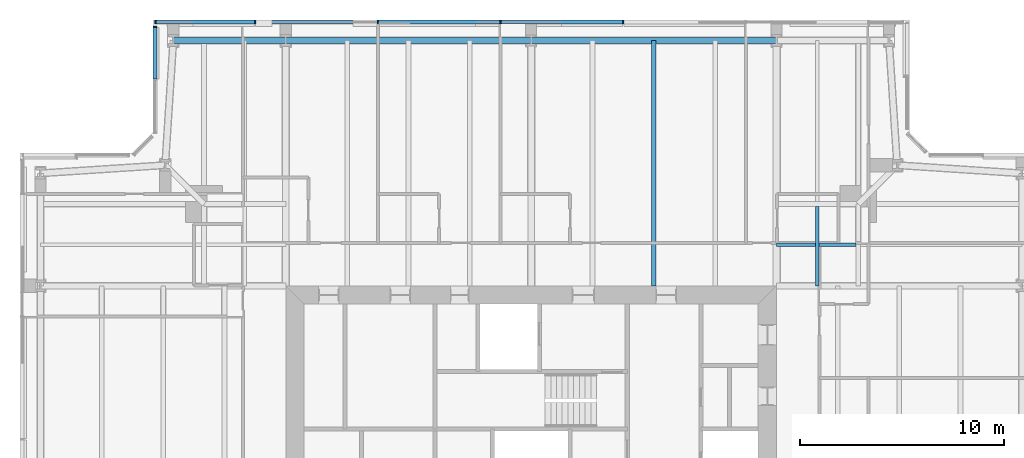
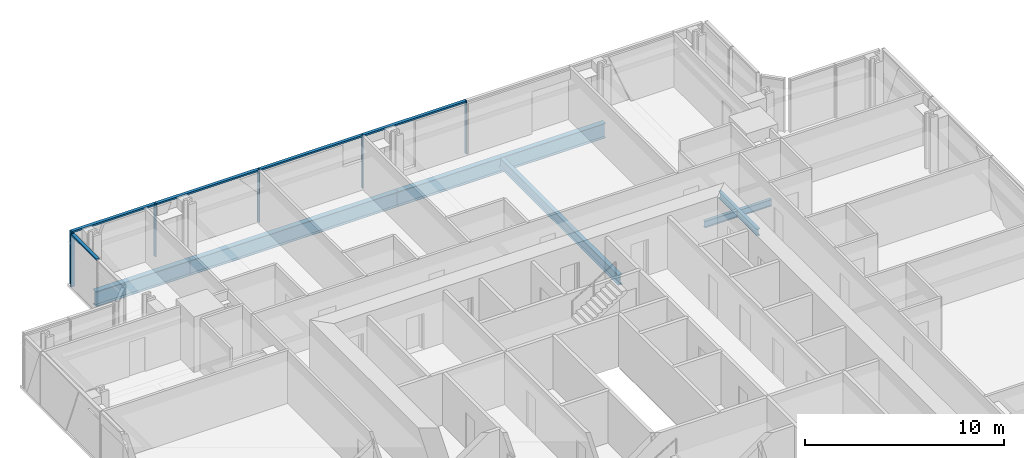
# One storey, part 8 of 20: 11 members, 7 beams, 2 elements without a shape of their own.
"""IFC4 building model written with IfcOpenShell, lengths in metres."""

from ifc_helpers import new_model, si_unit, direction, frame, origin, origin_2d, place, context, subcontext, project, spatial, rectangle, i_section, extrude, material, material_profile, profile_set, type_object, element, aggregate, save


model = new_model("IFC4")

# Units and contexts
model_context = context("Model", 3, precision=1e-05, world=origin(), true_north=direction((0.0, 1.0)))
body_context = subcontext(model_context, "Body", "Model", "MODEL_VIEW")
ifc_project = project(units=[si_unit("LENGTHUNIT", "METRE"), si_unit("AREAUNIT", "SQUARE_METRE"), si_unit("VOLUMEUNIT", "CUBIC_METRE"), si_unit("PLANEANGLEUNIT", "RADIAN"), si_unit("MASSUNIT", "GRAM", prefix="KILO")], contexts=[model_context])

# Site, building, storey
site_placement = place(None, origin())
site = spatial("IfcSite", under=ifc_project, at=site_placement, CompositionType="ELEMENT")
building_placement = place(site_placement, origin())
building = spatial("IfcBuilding", under=site, at=building_placement, Name="Fenwick Lantern Interchange", CompositionType="ELEMENT")
storey_placement = place(building_placement, frame((0.0, 0.0, 259.39990234375)))
storey = spatial("IfcBuildingStorey", under=building, at=storey_placement, Name="L61", CompositionType="ELEMENT", Elevation=259.39990234375)

# Beams
ifc_material_1 = material(Name="Steel ASTM A992 Grade 50", Category="steel")
ifc_material_profile_1 = material_profile(ifc_material_1, i_section(OverallWidth=0.3046875, OverallDepth=0.911865234375, WebThickness=0.015869140625, FlangeThickness=0.02392578125, at=origin_2d()), Name="W36X150")
ifc_profile_set_1 = profile_set([ifc_material_profile_1], Name="Steel ASTM A992 Grade 50")
beam_type_1 = type_object("IfcBeamType", Name="EDGE BEAM W36X150", PredefinedType="SPANDREL", material=ifc_profile_set_1)
for number, where, z_axis, x_axis, name in (
    (1, (37.0, 49.0, -0.605712890625), (-1.0, 0.0, 0.0), (0.0, -1.0, 0.0), "L61/FR/N/EB2"),
    (2, (25.0, 49.0, -0.605712890625), (-1.0, 0.0, 0.0), (0.0, -1.0, 0.0), "L61/FR/N/EB3"),
):
    element("IfcBeam", number, at=place(storey_placement, frame(where, z_axis=z_axis, x_axis=x_axis)), inside=storey, type_object=beam_type_1, Name=name, PredefinedType="SPANDREL", context=body_context, shape_type="SweptSolid", body=[
        extrude(i_section(OverallWidth=0.3046875, OverallDepth=0.911865234375, WebThickness=0.015869140625, FlangeThickness=0.02392578125, at=origin_2d()), origin(), (0.0, 0.0, 1.0), 12.0),
    ])
beam_1_placement = place(storey_placement, frame((13.0, 49.0, -0.605712890625), z_axis=(-1.0, 0.0, 0.0), x_axis=(0.0, -1.0, 0.0)))
element("IfcBeam", 3, at=beam_1_placement, inside=storey, type_object=beam_type_1, Name="L61/FR/N/EB4", PredefinedType="SPANDREL", context=body_context, shape_type="SweptSolid", body=[
    extrude(i_section(OverallWidth=0.3046875, OverallDepth=0.911865234375, WebThickness=0.015869140625, FlangeThickness=0.02392578125, at=origin_2d()), origin(), (0.0, 0.0, 1.0), 5.5),
])
ifc_material_profile_2 = material_profile(ifc_material_1, i_section(OverallWidth=0.22900390625, OverallDepth=0.612060546875, WebThickness=0.011962890625, FlangeThickness=0.01953125, at=origin_2d()), Name="W24X84")
ifc_profile_set_2 = profile_set([ifc_material_profile_2], Name="Steel ASTM A992 Grade 50")
beam_type_2 = type_object("IfcBeamType", Name="FLOOR BEAM W24X84", PredefinedType="BEAM", material=ifc_profile_set_2)
beam_2_placement = place(storey_placement, frame((31.0, 49.0, -0.4560546875), z_axis=(0.0, -1.0, 0.0), x_axis=(1.0, 0.0, 0.0)))
element("IfcBeam", 4, at=beam_2_placement, inside=storey, type_object=beam_type_2, Name="L61/FR/N/R03", PredefinedType="BEAM", context=body_context, shape_type="SweptSolid", body=[
    extrude(i_section(OverallWidth=0.22900390625, OverallDepth=0.612060546875, WebThickness=0.011962890625, FlangeThickness=0.01953125, at=origin_2d()), origin(), (0.0, 0.0, 1.0), 12.0),
])

# Curtain wall, members
ifc_material_2 = material(Name="Aluminium curtain wall frame", Category="aluminium")
curtain_wall_type = type_object("IfcCurtainWallType", Name="HOTEL CURTAIN WALL", PredefinedType="USERDEFINED", material=ifc_material_2)
curtain_wall_1_placement = place(storey_placement, origin())
curtain_wall_1 = element("IfcCurtainWall", 5, at=curtain_wall_1_placement, inside=storey, type_object=curtain_wall_type, Name="Hotel curtain wall 09", ObjectType="HOTEL CURTAIN WALL", PredefinedType="USERDEFINED")
ifc_material_3 = material(Name="Aluminium extrusion", Category="aluminium")
ifc_material_profile_3 = material_profile(ifc_material_3, rectangle(XDim=0.179931640625, YDim=0.06005859375, at=origin_2d()), Name="HOTEL CURTAIN WALL MULLION 60 X 180")
ifc_profile_set_3 = profile_set([ifc_material_profile_3], Name="Aluminium extrusion")
member_type_1 = type_object("IfcMemberType", Name="HOTEL CURTAIN WALL MULLION 60 X 180", PredefinedType="MULLION", material=ifc_profile_set_3)
member_1_placement = place(storey_placement, frame((29.5, 49.89990234375, 0.0), z_axis=(0.0, 0.0, 1.0), x_axis=(0.0, -1.0, 0.0)))
member_1 = element("IfcMember", 6, at=member_1_placement, type_object=member_type_1, Name="L61/CW/09/M03", PredefinedType="MULLION", context=body_context, shape_type="SweptSolid", body=[
    extrude(rectangle(XDim=0.179931640625, YDim=0.06005859375, at=origin_2d()), origin(), (0.0, 0.0, 1.0), 3.25),
])
member_2_placement = place(storey_placement, frame((23.5, 49.89990234375, 0.0), z_axis=(0.0, 0.0, 1.0), x_axis=(0.0, -1.0, 0.0)))
member_2 = element("IfcMember", 7, at=member_2_placement, type_object=member_type_1, Name="L61/CW/09/M04", PredefinedType="MULLION", context=body_context, shape_type="SweptSolid", body=[
    extrude(rectangle(XDim=0.179931640625, YDim=0.06005859375, at=origin_2d()), origin(), (0.0, 0.0, 1.0), 3.25),
])
member_3_placement = place(storey_placement, frame((17.5, 49.89990234375, 0.0), z_axis=(0.0, 0.0, 1.0), x_axis=(0.0, -1.0, 0.0)))
member_3 = element("IfcMember", 8, at=member_3_placement, type_object=member_type_1, Name="L61/CW/09/M05", PredefinedType="MULLION", context=body_context, shape_type="SweptSolid", body=[
    extrude(rectangle(XDim=0.179931640625, YDim=0.06005859375, at=origin_2d()), origin(), (0.0, 0.0, 1.0), 3.25),
])
member_4_placement = place(storey_placement, frame((11.5, 49.89990234375, 0.0), z_axis=(0.0, 0.0, 1.0), x_axis=(0.0, -1.0, 0.0)))
member_4 = element("IfcMember", 9, at=member_4_placement, type_object=member_type_1, Name="L61/CW/09/M06", PredefinedType="MULLION", context=body_context, shape_type="SweptSolid", body=[
    extrude(rectangle(XDim=0.179931640625, YDim=0.06005859375, at=origin_2d()), origin(), (0.0, 0.0, 1.0), 3.25),
])
member_5_placement = place(storey_placement, frame((6.6298828125, 49.89990234375, 0.0), z_axis=(0.0, 0.0, 1.0), x_axis=(0.0, -1.0, 0.0)))
member_5 = element("IfcMember", 10, at=member_5_placement, type_object=member_type_1, Name="L61/CW/09/M07", PredefinedType="MULLION", context=body_context, shape_type="SweptSolid", body=[
    extrude(rectangle(XDim=0.179931640625, YDim=0.06005859375, at=origin_2d()), origin(), (0.0, 0.0, 1.0), 3.25),
])

# Curtain wall, member
curtain_wall_2_placement = place(storey_placement, origin())
curtain_wall_2 = element("IfcCurtainWall", 11, at=curtain_wall_2_placement, inside=storey, type_object=curtain_wall_type, Name="Hotel curtain wall 10", ObjectType="HOTEL CURTAIN WALL", PredefinedType="USERDEFINED")
member_6_placement = place(storey_placement, frame((6.60009765625, 49.669921875, 0.0), z_axis=(0.0, 0.0, 1.0), x_axis=(1.0, 0.0, 0.0)))
member_6 = element("IfcMember", 12, at=member_6_placement, type_object=member_type_1, Name="L61/CW/10/M00", PredefinedType="MULLION", context=body_context, shape_type="SweptSolid", body=[
    extrude(rectangle(XDim=0.179931640625, YDim=0.06005859375, at=origin_2d()), origin(), (0.0, 0.0, 1.0), 3.25),
])

# Member
ifc_material_profile_4 = material_profile(ifc_material_3, rectangle(XDim=0.179931640625, YDim=0.10009765625, at=origin_2d()), Name="HOTEL CURTAIN WALL TRANSOM 100 X 180")
ifc_profile_set_4 = profile_set([ifc_material_profile_4], Name="Aluminium extrusion")
member_type_2 = type_object("IfcMemberType", Name="HOTEL CURTAIN WALL TRANSOM 100 X 180", PredefinedType="MULLION", material=ifc_profile_set_4)
member_7_placement = place(storey_placement, frame((29.469970703125, 49.89990234375, 3.2001953125), z_axis=(-1.0, 0.0, 0.0), x_axis=(0.0, -1.0, 0.0)))
member_7 = element("IfcMember", 13, at=member_7_placement, type_object=member_type_2, Name="L61/CW/09/T03", PredefinedType="MULLION", context=body_context, shape_type="SweptSolid", body=[
    extrude(rectangle(XDim=0.179931640625, YDim=0.10009765625, at=origin_2d()), origin(), (0.0, 0.0, 1.0), 5.93994140625),
])

member_8_placement = place(storey_placement, frame((23.469970703125, 49.89990234375, 3.2001953125), z_axis=(-1.0, 0.0, 0.0), x_axis=(0.0, -1.0, 0.0)))
member_8 = element("IfcMember", 14, at=member_8_placement, type_object=member_type_2, Name="L61/CW/09/T04", PredefinedType="MULLION", context=body_context, shape_type="SweptSolid", body=[
    extrude(rectangle(XDim=0.179931640625, YDim=0.10009765625, at=origin_2d()), origin(), (0.0, 0.0, 1.0), 5.93994140625),
])

member_9_placement = place(storey_placement, frame((17.469970703125, 49.89990234375, 3.2001953125), z_axis=(-1.0, 0.0, 0.0), x_axis=(0.0, -1.0, 0.0)))
member_9 = element("IfcMember", 15, at=member_9_placement, type_object=member_type_2, Name="L61/CW/09/T05", PredefinedType="MULLION", context=body_context, shape_type="SweptSolid", body=[
    extrude(rectangle(XDim=0.179931640625, YDim=0.10009765625, at=origin_2d()), origin(), (0.0, 0.0, 1.0), 5.93994140625),
])

member_10_placement = place(storey_placement, frame((11.469970703125, 49.89990234375, 3.2001953125), z_axis=(-1.0, 0.0, 0.0), x_axis=(0.0, -1.0, 0.0)))
member_10 = element("IfcMember", 16, at=member_10_placement, type_object=member_type_2, Name="L61/CW/09/T06", PredefinedType="MULLION", context=body_context, shape_type="SweptSolid", body=[
    extrude(rectangle(XDim=0.179931640625, YDim=0.10009765625, at=origin_2d()), origin(), (0.0, 0.0, 1.0), 4.81005859375),
])

aggregate(curtain_wall_1, [member_1, member_2, member_3, member_4, member_5, member_7, member_8, member_9, member_10])

member_11_placement = place(storey_placement, frame((6.60009765625, 49.639892578125, 3.2001953125), z_axis=(0.0, -1.0, 0.0), x_axis=(1.0, 0.0, 0.0)))
member_11 = element("IfcMember", 17, at=member_11_placement, type_object=member_type_2, Name="L61/CW/10/T00", PredefinedType="MULLION", context=body_context, shape_type="SweptSolid", body=[
    extrude(rectangle(XDim=0.179931640625, YDim=0.10009765625, at=origin_2d()), origin(), (0.0, 0.0, 1.0), 2.530517578125),
])

aggregate(curtain_wall_2, [member_6, member_11])

# Beams
ifc_material_profile_5 = material_profile(ifc_material_1, i_section(OverallWidth=0.177734375, OverallDepth=0.406494140625, WebThickness=0.0078125, FlangeThickness=0.012939453125, at=origin_2d()), Name="W16X40")
ifc_profile_set_5 = profile_set([ifc_material_profile_5], Name="Steel ASTM A992 Grade 50")
beam_type_3 = type_object("IfcBeamType", Name="INFILL BEAM W16X40", PredefinedType="JOIST", material=ifc_profile_set_5)
beam_3_placement = place(storey_placement, frame((39.0, 40.885498046875, -0.35302734375), z_axis=(0.0, -1.0, 0.0), x_axis=(1.0, 0.0, 0.0)))
element("IfcBeam", 18, at=beam_3_placement, inside=storey, type_object=beam_type_3, Name="L61/FR/N/J2", PredefinedType="JOIST", context=body_context, shape_type="SweptSolid", body=[
    extrude(i_section(OverallWidth=0.177734375, OverallDepth=0.406494140625, WebThickness=0.0078125, FlangeThickness=0.012939453125, at=origin_2d()), origin(), (0.0, 0.0, 1.0), 3.885498046875),
])
beam_4_placement = place(storey_placement, frame((40.885498046875, 39.0, -0.35302734375), z_axis=(-1.0, 0.0, 0.0), x_axis=(0.0, -1.0, 0.0)))
element("IfcBeam", 19, at=beam_4_placement, inside=storey, type_object=beam_type_3, Name="L61/FR/N/J4", PredefinedType="JOIST", context=body_context, shape_type="SweptSolid", body=[
    extrude(i_section(OverallWidth=0.177734375, OverallDepth=0.406494140625, WebThickness=0.0078125, FlangeThickness=0.012939453125, at=origin_2d()), origin(), (0.0, 0.0, 1.0), 1.796630859375),
])
beam_5_placement = place(storey_placement, frame((38.9111328125, 39.0, -0.35302734375), z_axis=(-1.0, 0.0, 0.0), x_axis=(0.0, -1.0, 0.0)))
element("IfcBeam", 20, at=beam_5_placement, inside=storey, type_object=beam_type_3, Name="L61/FR/N/J5", PredefinedType="JOIST", context=body_context, shape_type="SweptSolid", body=[
    extrude(i_section(OverallWidth=0.177734375, OverallDepth=0.406494140625, WebThickness=0.0078125, FlangeThickness=0.012939453125, at=origin_2d()), origin(), (0.0, 0.0, 1.0), 1.9111328125),
])

save(model, "model.ifc")
